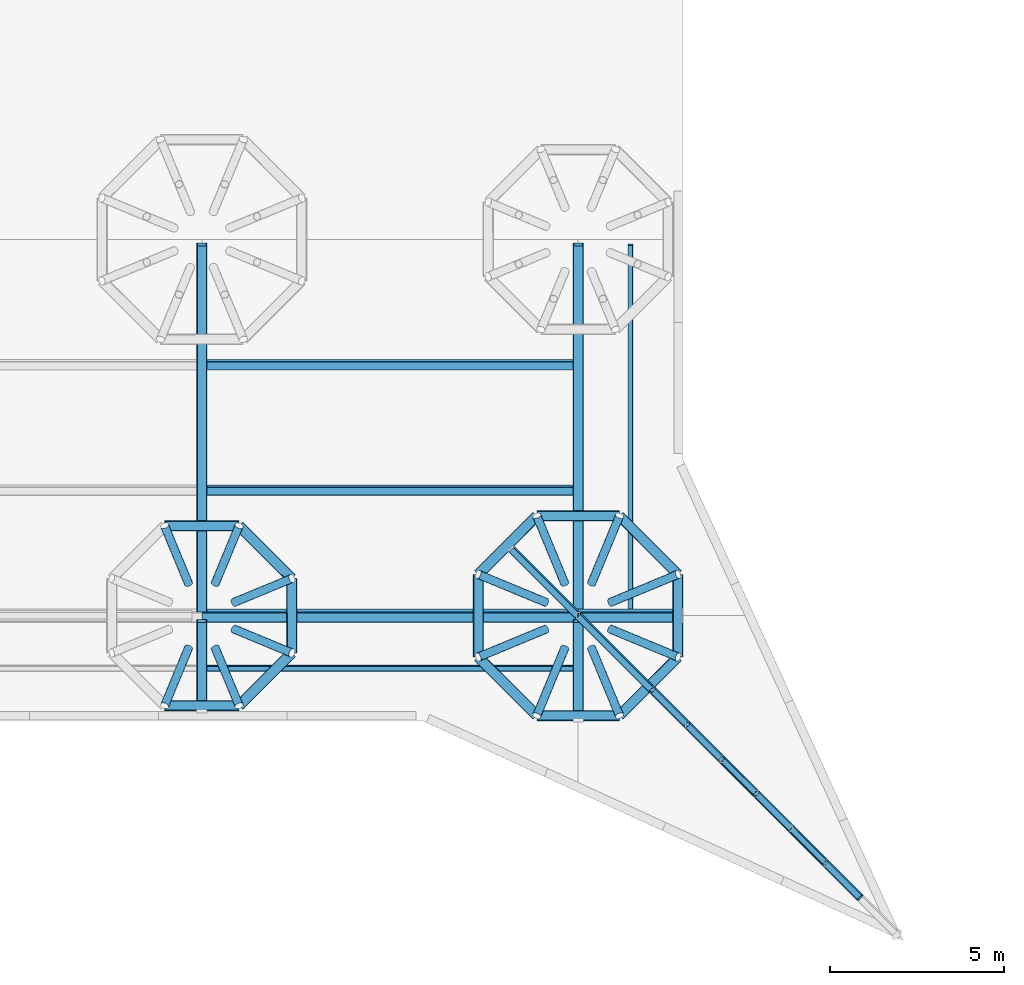
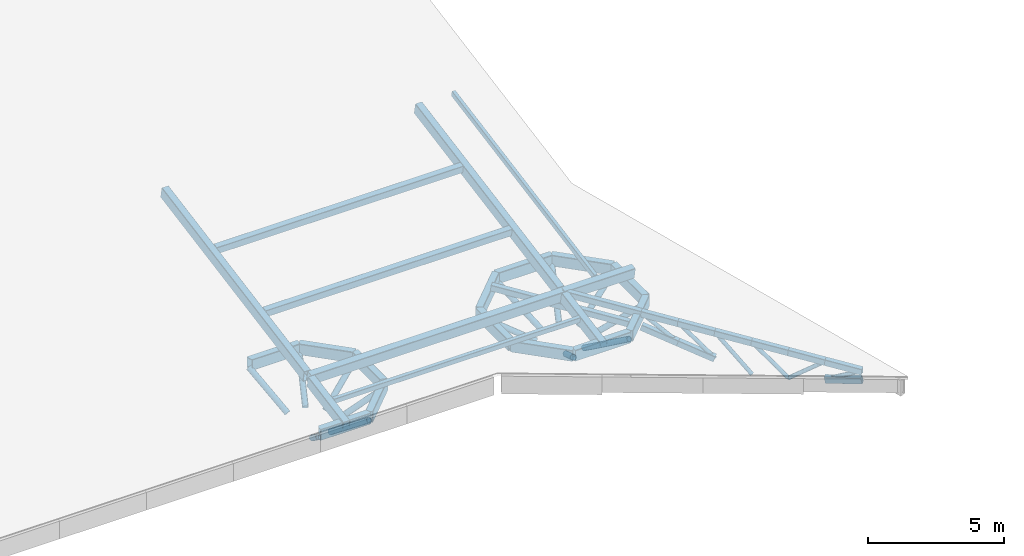
# One storey, part 16 of 56: 31 members, 23 beams.
"""IFC4 building model written with IfcOpenShell, lengths in metres."""

from ifc_helpers import new_model, si_unit, direction, frame, origin, origin_2d, place, context, subcontext, project, spatial, hollow_rectangle, hollow_circle, extrude, clip, halfspace, material, material_profile, profile_set, type_object, element, save


model = new_model("IFC4")

# Units and contexts
model_context = context("Model", 3, precision=1e-05, world=origin(), true_north=direction((0.0, 1.0)))
body_context = subcontext(model_context, "Body", "Model", "MODEL_VIEW")
ifc_project = project(units=[si_unit("LENGTHUNIT", "METRE"), si_unit("AREAUNIT", "SQUARE_METRE"), si_unit("VOLUMEUNIT", "CUBIC_METRE"), si_unit("PLANEANGLEUNIT", "RADIAN"), si_unit("MASSUNIT", "GRAM", prefix="KILO")], contexts=[model_context])

# Site, building, storey
site_placement = place(None, origin())
site = spatial("IfcSite", under=ifc_project, at=site_placement, CompositionType="ELEMENT")
building_placement = place(site_placement, origin())
building = spatial("IfcBuilding", under=site, at=building_placement, Name="Magnolia Steps Interchange", CompositionType="ELEMENT")
storey_placement = place(building_placement, frame((0.0, 0.0, 8.699951171875)))
storey = spatial("IfcBuildingStorey", under=building, at=storey_placement, Name="L02", CompositionType="ELEMENT", Elevation=8.699951171875)

# Beams
ifc_material_1 = material(Name="Steel Q355B", Category="steel")
ifc_material_profile_1 = material_profile(ifc_material_1, hollow_rectangle(XDim=0.300048828125, YDim=0.5, WallThickness=0.01611328125, InnerFilletRadius=0.01611328125, OuterFilletRadius=0.031982421875, at=origin_2d()), Name="RHS500x300x16")
ifc_profile_set_1 = profile_set([ifc_material_profile_1], Name="Steel Q355B")
beam_type_1 = type_object("IfcBeamType", Name="Ring beam RHS500x300x16", PredefinedType="BEAM", material=ifc_profile_set_1)
beam_1_placement = place(storey_placement, frame((109.780029296875, 43.46875, 1.44873046875), z_axis=(-0.707106781187, 0.707106781187, 0.0), x_axis=(-0.707106781187, -0.707106781187, 0.0)))
element("IfcBeam", 1, at=beam_1_placement, inside=storey, type_object=beam_type_1, Name="Ring beam TH06A", PredefinedType="BEAM", context=body_context, shape_type="Clipping", body=[
    clip(clip(extrude(hollow_rectangle(XDim=0.300048828125, YDim=0.5, WallThickness=0.01611328125, InnerFilletRadius=0.01611328125, OuterFilletRadius=0.031982421875, at=origin_2d()), origin(), (0.0, 0.0, 1.0), 2.13720703125), halfspace(frame((0.0, 0.0, 0.0), z_axis=(0.382683433, 0.0, -0.923879532), x_axis=(0.923879532, 0.0, 0.382683433)), False)), halfspace(frame((0.0, 0.0, 2.137202625), z_axis=(0.382683433, 0.0, 0.923879532), x_axis=(0.923879532, 0.0, -0.382683433)), False)),
])
for number, where, z_axis, x_axis, name in (
    (2, (108.268798828125, 44.97998046875, 1.44873046875), (-1.0, 0.0, 0.0), (0.0, -1.0, 0.0), "Ring beam TH06A"),
    (3, (106.13134765625, 39.820068359375, 1.44873046875), (1.0, 0.0, 0.0), (0.0, 1.0, 0.0), "Ring beam TH06A"),
):
    element("IfcBeam", number, at=place(storey_placement, frame(where, z_axis=z_axis, x_axis=x_axis)), inside=storey, type_object=beam_type_1, Name=name, PredefinedType="BEAM", context=body_context, shape_type="Clipping", body=[
        clip(clip(extrude(hollow_rectangle(XDim=0.300048828125, YDim=0.5, WallThickness=0.01611328125, InnerFilletRadius=0.01611328125, OuterFilletRadius=0.031982421875, at=origin_2d()), origin(), (0.0, 0.0, 1.0), 2.137451171875), halfspace(frame((0.0, 0.0, 0.0), z_axis=(0.382683432, 0.0, -0.923879533), x_axis=(0.923879533, 0.0, 0.382683432)), False)), halfspace(frame((0.0, 0.0, 2.137451172), z_axis=(0.382683432, 0.0, 0.923879533), x_axis=(0.923879533, 0.0, -0.382683432)), False)),
    ])
beam_2_placement = place(storey_placement, frame((108.268798828125, 39.820068359375, 1.44873046875), z_axis=(0.707106781187, 0.707106781187, 0.0), x_axis=(-0.707106781187, 0.707106781187, 0.0)))
element("IfcBeam", 4, at=beam_2_placement, inside=storey, type_object=beam_type_1, Name="Ring beam TH06A", PredefinedType="BEAM", context=body_context, shape_type="Clipping", body=[
    clip(clip(extrude(hollow_rectangle(XDim=0.300048828125, YDim=0.5, WallThickness=0.01611328125, InnerFilletRadius=0.01611328125, OuterFilletRadius=0.031982421875, at=origin_2d()), origin(), (0.0, 0.0, 1.0), 2.13720703125), halfspace(frame((0.0, 0.0, 0.0), z_axis=(0.382683433, 0.0, -0.923879532), x_axis=(0.923879532, 0.0, 0.382683433)), False)), halfspace(frame((0.0, 0.0, 2.137202625), z_axis=(0.382683433, 0.0, 0.923879532), x_axis=(0.923879532, 0.0, -0.382683433)), False)),
])
beam_3_placement = place(storey_placement, frame((109.780029296875, 41.331298828125, 1.44873046875), z_axis=(0.0, 1.0, 0.0), x_axis=(-1.0, 0.0, 0.0)))
element("IfcBeam", 5, at=beam_3_placement, inside=storey, type_object=beam_type_1, Name="Ring beam TH06A", PredefinedType="BEAM", context=body_context, shape_type="Clipping", body=[
    clip(clip(extrude(hollow_rectangle(XDim=0.300048828125, YDim=0.5, WallThickness=0.01611328125, InnerFilletRadius=0.01611328125, OuterFilletRadius=0.031982421875, at=origin_2d()), origin(), (0.0, 0.0, 1.0), 2.137451171875), halfspace(frame((0.0, 0.0, 0.0), z_axis=(0.382683432, 0.0, -0.923879533), x_axis=(0.923879533, 0.0, 0.382683432)), False)), halfspace(frame((0.0, 0.0, 2.137451172), z_axis=(0.382683432, 0.0, 0.923879533), x_axis=(0.923879533, 0.0, -0.382683432)), False)),
])
beam_4_placement = place(storey_placement, frame((120.864013671875, 43.586181640625, 1.44873046875), z_axis=(-0.707106781187, 0.707106781187, 0.0), x_axis=(-0.707106781187, -0.707106781187, 0.0)))
element("IfcBeam", 6, at=beam_4_placement, inside=storey, type_object=beam_type_1, Name="Ring beam TH07A", PredefinedType="BEAM", context=body_context, shape_type="Clipping", body=[
    clip(clip(extrude(hollow_rectangle(XDim=0.300048828125, YDim=0.5, WallThickness=0.01611328125, InnerFilletRadius=0.01611328125, OuterFilletRadius=0.031982421875, at=origin_2d()), origin(), (0.0, 0.0, 1.0), 2.37255859375), halfspace(frame((0.0, 0.0, 0.0), z_axis=(0.382683433, 0.0, -0.923879532), x_axis=(0.923879532, 0.0, 0.382683433)), False)), halfspace(frame((0.0, 0.0, 2.372674707), z_axis=(0.382683433, 0.0, 0.923879532), x_axis=(0.923879532, 0.0, -0.382683433)), False)),
])
beam_5_placement = place(storey_placement, frame((119.186279296875, 45.263916015625, 1.44873046875), z_axis=(-1.0, 0.0, 0.0), x_axis=(0.0, -1.0, 0.0)))
element("IfcBeam", 7, at=beam_5_placement, inside=storey, type_object=beam_type_1, Name="Ring beam TH07A", PredefinedType="BEAM", context=body_context, shape_type="Clipping", body=[
    clip(clip(extrude(hollow_rectangle(XDim=0.300048828125, YDim=0.5, WallThickness=0.01611328125, InnerFilletRadius=0.01611328125, OuterFilletRadius=0.031982421875, at=origin_2d()), origin(), (0.0, 0.0, 1.0), 2.37255859375), halfspace(frame((0.0, 0.0, 0.0), z_axis=(0.382683432, 0.0, -0.923879533), x_axis=(0.923879533, 0.0, 0.382683432)), False)), halfspace(frame((0.0, 0.0, 2.372558594), z_axis=(0.382683432, 0.0, 0.923879533), x_axis=(0.923879533, 0.0, -0.382683432)), False)),
])
beam_6_placement = place(storey_placement, frame((116.813720703125, 45.263916015625, 1.44873046875), z_axis=(-0.707106781187, -0.707106781187, 0.0), x_axis=(0.707106781187, -0.707106781187, 0.0)))
element("IfcBeam", 8, at=beam_6_placement, inside=storey, type_object=beam_type_1, Name="Ring beam TH07A", PredefinedType="BEAM", context=body_context, shape_type="Clipping", body=[
    clip(clip(extrude(hollow_rectangle(XDim=0.300048828125, YDim=0.5, WallThickness=0.01611328125, InnerFilletRadius=0.01611328125, OuterFilletRadius=0.031982421875, at=origin_2d()), origin(), (0.0, 0.0, 1.0), 2.37255859375), halfspace(frame((0.0, 0.0, 0.0), z_axis=(0.382683433, 0.0, -0.923879532), x_axis=(0.923879532, 0.0, 0.382683433)), False)), halfspace(frame((0.0, 0.0, 2.372674707), z_axis=(0.382683433, 0.0, 0.923879532), x_axis=(0.923879532, 0.0, -0.382683433)), False)),
])
beam_7_placement = place(storey_placement, frame((115.135986328125, 43.586181640625, 1.44873046875), z_axis=(0.0, -1.0, 0.0), x_axis=(1.0, 0.0, 0.0)))
element("IfcBeam", 9, at=beam_7_placement, inside=storey, type_object=beam_type_1, Name="Ring beam TH07A", PredefinedType="BEAM", context=body_context, shape_type="Clipping", body=[
    clip(clip(extrude(hollow_rectangle(XDim=0.300048828125, YDim=0.5, WallThickness=0.01611328125, InnerFilletRadius=0.01611328125, OuterFilletRadius=0.031982421875, at=origin_2d()), origin(), (0.0, 0.0, 1.0), 2.37255859375), halfspace(frame((0.0, 0.0, 0.0), z_axis=(0.382683432, 0.0, -0.923879533), x_axis=(0.923879533, 0.0, 0.382683432)), False)), halfspace(frame((0.0, 0.0, 2.372558594), z_axis=(0.382683432, 0.0, 0.923879533), x_axis=(0.923879533, 0.0, -0.382683432)), False)),
])
beam_8_placement = place(storey_placement, frame((115.135986328125, 41.213623046875, 1.44873046875), z_axis=(0.707106781187, -0.707106781187, 0.0), x_axis=(0.707106781187, 0.707106781187, 0.0)))
element("IfcBeam", 10, at=beam_8_placement, inside=storey, type_object=beam_type_1, Name="Ring beam TH07A", PredefinedType="BEAM", context=body_context, shape_type="Clipping", body=[
    clip(clip(extrude(hollow_rectangle(XDim=0.300048828125, YDim=0.5, WallThickness=0.01611328125, InnerFilletRadius=0.01611328125, OuterFilletRadius=0.031982421875, at=origin_2d()), origin(), (0.0, 0.0, 1.0), 2.37255859375), halfspace(frame((0.0, 0.0, 0.0), z_axis=(0.382683433, 0.0, -0.923879532), x_axis=(0.923879532, 0.0, 0.382683433)), False)), halfspace(frame((0.0, 0.0, 2.372674707), z_axis=(0.382683433, 0.0, 0.923879532), x_axis=(0.923879532, 0.0, -0.382683433)), False)),
])
beam_9_placement = place(storey_placement, frame((116.813720703125, 39.535888671875, 1.44873046875), z_axis=(1.0, 0.0, 0.0), x_axis=(0.0, 1.0, 0.0)))
element("IfcBeam", 11, at=beam_9_placement, inside=storey, type_object=beam_type_1, Name="Ring beam TH07A", PredefinedType="BEAM", context=body_context, shape_type="Clipping", body=[
    clip(clip(extrude(hollow_rectangle(XDim=0.300048828125, YDim=0.5, WallThickness=0.01611328125, InnerFilletRadius=0.01611328125, OuterFilletRadius=0.031982421875, at=origin_2d()), origin(), (0.0, 0.0, 1.0), 2.37255859375), halfspace(frame((0.0, 0.0, 0.0), z_axis=(0.382683432, 0.0, -0.923879533), x_axis=(0.923879533, 0.0, 0.382683432)), False)), halfspace(frame((0.0, 0.0, 2.372558594), z_axis=(0.382683432, 0.0, 0.923879533), x_axis=(0.923879533, 0.0, -0.382683432)), False)),
])
beam_10_placement = place(storey_placement, frame((119.186279296875, 39.535888671875, 1.44873046875), z_axis=(0.707106781187, 0.707106781187, 0.0), x_axis=(-0.707106781187, 0.707106781187, 0.0)))
element("IfcBeam", 12, at=beam_10_placement, inside=storey, type_object=beam_type_1, Name="Ring beam TH07A", PredefinedType="BEAM", context=body_context, shape_type="Clipping", body=[
    clip(clip(extrude(hollow_rectangle(XDim=0.300048828125, YDim=0.5, WallThickness=0.01611328125, InnerFilletRadius=0.01611328125, OuterFilletRadius=0.031982421875, at=origin_2d()), origin(), (0.0, 0.0, 1.0), 2.37255859375), halfspace(frame((0.0, 0.0, 0.0), z_axis=(0.382683433, 0.0, -0.923879532), x_axis=(0.923879532, 0.0, 0.382683433)), False)), halfspace(frame((0.0, 0.0, 2.372674707), z_axis=(0.382683433, 0.0, 0.923879532), x_axis=(0.923879532, 0.0, -0.382683433)), False)),
])
beam_11_placement = place(storey_placement, frame((120.864013671875, 41.213623046875, 1.44873046875), z_axis=(0.0, 1.0, 0.0), x_axis=(-1.0, 0.0, 0.0)))
element("IfcBeam", 13, at=beam_11_placement, inside=storey, type_object=beam_type_1, Name="Ring beam TH07A", PredefinedType="BEAM", context=body_context, shape_type="Clipping", body=[
    clip(clip(extrude(hollow_rectangle(XDim=0.300048828125, YDim=0.5, WallThickness=0.01611328125, InnerFilletRadius=0.01611328125, OuterFilletRadius=0.031982421875, at=origin_2d()), origin(), (0.0, 0.0, 1.0), 2.37255859375), halfspace(frame((0.0, 0.0, 0.0), z_axis=(0.382683432, 0.0, -0.923879533), x_axis=(0.923879533, 0.0, 0.382683432)), False)), halfspace(frame((0.0, 0.0, 2.372558594), z_axis=(0.382683432, 0.0, 0.923879533), x_axis=(0.923879533, 0.0, -0.382683432)), False)),
])
ifc_material_2 = material(Name="Steel Q355B", Category="steel")
ifc_material_profile_2 = material_profile(ifc_material_2, hollow_rectangle(XDim=0.300048828125, YDim=0.5, WallThickness=0.01611328125, InnerFilletRadius=0.01611328125, OuterFilletRadius=0.031982421875, at=origin_2d()), Name="RHS500x300x16")
ifc_profile_set_2 = profile_set([ifc_material_profile_2], Name="Steel Q355B")
beam_type_2 = type_object("IfcBeamType", Name="Roof beam RHS500x300x16", PredefinedType="BEAM", material=ifc_profile_set_2)
beam_12_placement = place(storey_placement, frame((107.199951171875, 42.39990234375, 1.9931640625), z_axis=(1.0, 0.0, 0.0), x_axis=(0.0, 0.98367737698, 0.17994115154)))
element("IfcBeam", 14, at=beam_12_placement, inside=storey, type_object=beam_type_2, Name="Roof beam", PredefinedType="BEAM", context=body_context, shape_type="SweptSolid", body=[
    extrude(hollow_rectangle(XDim=0.300048828125, YDim=0.5, WallThickness=0.01611328125, InnerFilletRadius=0.01611328125, OuterFilletRadius=0.031982421875, at=origin_2d()), origin(), (0.0, 0.0, 1.0), 10.800048828125),
])
beam_13_placement = place(storey_placement, frame((118.0, 42.39990234375, 1.9931640625), z_axis=(1.0, 0.0, 0.0), x_axis=(0.0, 0.98367737698, 0.17994115154)))
element("IfcBeam", 15, at=beam_13_placement, inside=storey, type_object=beam_type_2, Name="Roof beam", PredefinedType="BEAM", context=body_context, shape_type="SweptSolid", body=[
    extrude(hollow_rectangle(XDim=0.300048828125, YDim=0.5, WallThickness=0.01611328125, InnerFilletRadius=0.01611328125, OuterFilletRadius=0.031982421875, at=origin_2d()), origin(), (0.0, 0.0, 1.0), 3.0),
])
beam_14_placement = place(storey_placement, frame((107.199951171875, 42.550048828125, 2.0205078125), z_axis=(0.0, 0.983678690331, 0.179933971746), x_axis=(-1.0, 0.0, 0.0)))
element("IfcBeam", 16, at=beam_14_placement, inside=storey, type_object=beam_type_2, Name="Roof beam", PredefinedType="BEAM", context=body_context, shape_type="SweptSolid", body=[
    extrude(hollow_rectangle(XDim=0.300048828125, YDim=0.5, WallThickness=0.01611328125, InnerFilletRadius=0.01611328125, OuterFilletRadius=0.031982421875, at=origin_2d()), origin(), (0.0, 0.0, 1.0), 10.67431640625),
])
beam_15_placement = place(storey_placement, frame((107.199951171875, 42.25, 1.965576171875), z_axis=(0.0, -0.983688413027, -0.179880810752), x_axis=(1.0, 0.0, 0.0)))
element("IfcBeam", 17, at=beam_15_placement, inside=storey, type_object=beam_type_2, Name="Roof beam", PredefinedType="BEAM", context=body_context, shape_type="SweptSolid", body=[
    extrude(hollow_rectangle(XDim=0.300048828125, YDim=0.5, WallThickness=0.01611328125, InnerFilletRadius=0.01611328125, OuterFilletRadius=0.031982421875, at=origin_2d()), origin(), (0.0, 0.0, 1.0), 2.633056640625),
])
beam_16_placement = place(storey_placement, frame((118.0, 42.550048828125, 2.0205078125), z_axis=(0.0, 0.983678690331, 0.179933971746), x_axis=(-1.0, 0.0, 0.0)))
element("IfcBeam", 18, at=beam_16_placement, inside=storey, type_object=beam_type_2, Name="Roof beam", PredefinedType="BEAM", context=body_context, shape_type="SweptSolid", body=[
    extrude(hollow_rectangle(XDim=0.300048828125, YDim=0.5, WallThickness=0.01611328125, InnerFilletRadius=0.01611328125, OuterFilletRadius=0.031982421875, at=origin_2d()), origin(), (0.0, 0.0, 1.0), 10.67431640625),
])
beam_17_placement = place(storey_placement, frame((118.0, 42.25, 1.965576171875), z_axis=(0.0, -0.983684681442, -0.17990121594), x_axis=(1.0, 0.0, 0.0)))
element("IfcBeam", 19, at=beam_17_placement, inside=storey, type_object=beam_type_2, Name="Roof beam", PredefinedType="BEAM", context=body_context, shape_type="SweptSolid", body=[
    extrude(hollow_rectangle(XDim=0.300048828125, YDim=0.5, WallThickness=0.01611328125, InnerFilletRadius=0.01611328125, OuterFilletRadius=0.031982421875, at=origin_2d()), origin(), (0.0, 0.0, 1.0), 2.8974609375),
])
ifc_material_3 = material(Name="Steel Q355B", Category="steel")
ifc_material_profile_3 = material_profile(ifc_material_3, hollow_rectangle(XDim=0.14990234375, YDim=0.25, WallThickness=0.008056640625, InnerFilletRadius=0.008056640625, OuterFilletRadius=0.01611328125, at=origin_2d()), Name="RHS250x150x8")
ifc_profile_set_3 = profile_set([ifc_material_profile_3], Name="Steel Q355B")
beam_type_3 = type_object("IfcBeamType", Name="Roof edge joist RHS250x150x8", PredefinedType="BEAM", material=ifc_profile_set_3)
beam_18_placement = place(storey_placement, frame((107.35009765625, 40.89990234375, 1.845703125), z_axis=(1.0, 0.0, 0.0), x_axis=(0.0, 0.98367737698, 0.17994115154)))
element("IfcBeam", 20, at=beam_18_placement, inside=storey, type_object=beam_type_3, Name="Roof edge joist", PredefinedType="BEAM", context=body_context, shape_type="SweptSolid", body=[
    extrude(hollow_rectangle(XDim=0.14990234375, YDim=0.25, WallThickness=0.008056640625, InnerFilletRadius=0.008056640625, OuterFilletRadius=0.01611328125, at=origin_2d()), origin(), (0.0, 0.0, 1.0), 10.5),
])
beam_19_placement = place(storey_placement, frame((119.5, 42.550048828125, 2.1474609375), z_axis=(0.0, 0.98367464182, 0.179956103093), x_axis=(-1.0, 0.0, 0.0)))
element("IfcBeam", 21, at=beam_19_placement, inside=storey, type_object=beam_type_3, Name="Roof edge joist", PredefinedType="BEAM", context=body_context, shape_type="SweptSolid", body=[
    extrude(hollow_rectangle(XDim=0.14990234375, YDim=0.25, WallThickness=0.008056640625, InnerFilletRadius=0.008056640625, OuterFilletRadius=0.01611328125, at=origin_2d()), origin(), (0.0, 0.0, 1.0), 10.67431640625),
])
ifc_material_4 = material(Name="Steel Q355B", Category="steel")
ifc_material_profile_4 = material_profile(ifc_material_4, hollow_rectangle(XDim=0.25, YDim=0.35009765625, WallThickness=0.011962890625, InnerFilletRadius=0.011962890625, OuterFilletRadius=0.02392578125, at=origin_2d()), Name="RHS350x250x12")
ifc_profile_set_4 = profile_set([ifc_material_profile_4], Name="Steel Q355B")
beam_type_4 = type_object("IfcBeamType", Name="Roof joist RHS350x250x12", PredefinedType="BEAM", material=ifc_profile_set_4)
for number, where, z_axis, x_axis, name in (
    (22, (107.35009765625, 46.0, 2.727783203125), (1.0, 0.0, 0.0), (0.0, 0.98367737698, 0.17994115154), "Roof joist"),
    (23, (107.35009765625, 49.60009765625, 3.38623046875), (1.0, 0.0, 0.0), (0.0, 0.98367737698, 0.17994115154), "Roof joist"),
):
    element("IfcBeam", number, at=place(storey_placement, frame(where, z_axis=z_axis, x_axis=x_axis)), inside=storey, type_object=beam_type_4, Name=name, PredefinedType="BEAM", context=body_context, shape_type="SweptSolid", body=[
        extrude(hollow_rectangle(XDim=0.25, YDim=0.35009765625, WallThickness=0.011962890625, InnerFilletRadius=0.011962890625, OuterFilletRadius=0.02392578125, at=origin_2d()), origin(), (0.0, 0.0, 1.0), 10.5),
    ])

# Members
ifc_material_5 = material(Name="Steel Q355B", Category="steel")
ifc_material_profile_5 = material_profile(ifc_material_5, hollow_rectangle(XDim=0.199951171875, YDim=0.300048828125, WallThickness=0.011962890625, InnerFilletRadius=0.011962890625, OuterFilletRadius=0.02392578125, at=origin_2d()), Name="RHS300x200x12")
ifc_profile_set_5 = profile_set([ifc_material_profile_5], Name="Steel Q355B")
member_type_1 = type_object("IfcMemberType", Name="Roof truss RHS300x200x12", PredefinedType="USERDEFINED", material=ifc_profile_set_5)
member_1_placement = place(storey_placement, frame((118.0, 42.39990234375, 2.0947265625), z_axis=(0.701262972674, -0.701262972674, -0.12829842678), x_axis=(0.712902688306, 0.689816521651, 0.126186066834)))
element("IfcMember", 24, at=member_1_placement, inside=storey, type_object=member_type_1, Name="Spike truss SP-H-SE top chord", ObjectType="Roof truss", PredefinedType="USERDEFINED", context=body_context, shape_type="SweptSolid", body=[
    extrude(hollow_rectangle(XDim=0.199951171875, YDim=0.300048828125, WallThickness=0.011962890625, InnerFilletRadius=0.011962890625, OuterFilletRadius=0.02392578125, at=origin_2d()), origin(), (0.0, 0.0, 1.0), 3.0390625),
])
for number, where, z_axis, x_axis, name in (
    (25, (120.131103515625, 40.268798828125, 1.704833984375), (0.70125708406, -0.70125708406, -0.1283627832), (0.71290847849, 0.689810731467, 0.12618500723), "Spike truss SP-H-SE top chord"),
    (26, (121.124755859375, 39.275146484375, 1.52294921875), (0.701272583716, -0.701272583716, -0.128193317515), (0.712893231565, 0.689825978392, 0.126187796256), "Spike truss SP-H-SE top chord"),
):
    element("IfcMember", number, at=place(storey_placement, frame(where, z_axis=z_axis, x_axis=x_axis)), inside=storey, type_object=member_type_1, Name=name, ObjectType="Roof truss", PredefinedType="USERDEFINED", context=body_context, shape_type="SweptSolid", body=[
        extrude(hollow_rectangle(XDim=0.199951171875, YDim=0.300048828125, WallThickness=0.011962890625, InnerFilletRadius=0.011962890625, OuterFilletRadius=0.02392578125, at=origin_2d()), origin(), (0.0, 0.0, 1.0), 1.4169921875),
    ])
member_2_placement = place(storey_placement, frame((122.118408203125, 38.281494140625, 1.34130859375), z_axis=(0.701357324315, -0.701185000648, -0.12820880818), x_axis=(0.712809864442, 0.689912169433, 0.12618754147)))
element("IfcMember", 27, at=member_2_placement, inside=storey, type_object=member_type_1, Name="Spike truss SP-H-SE top chord", ObjectType="Roof truss", PredefinedType="USERDEFINED", context=body_context, shape_type="SweptSolid", body=[
    extrude(hollow_rectangle(XDim=0.199951171875, YDim=0.300048828125, WallThickness=0.011962890625, InnerFilletRadius=0.011962890625, OuterFilletRadius=0.02392578125, at=origin_2d()), origin(), (0.0, 0.0, 1.0), 1.416748046875),
])
member_3_placement = place(storey_placement, frame((123.112060546875, 37.2880859375, 1.15966796875), z_axis=(0.70125708406, -0.70125708406, -0.1283627832), x_axis=(0.71290847849, 0.689810731467, 0.12618500723)))
element("IfcMember", 28, at=member_3_placement, inside=storey, type_object=member_type_1, Name="Spike truss SP-H-SE top chord", ObjectType="Roof truss", PredefinedType="USERDEFINED", context=body_context, shape_type="SweptSolid", body=[
    extrude(hollow_rectangle(XDim=0.199951171875, YDim=0.300048828125, WallThickness=0.011962890625, InnerFilletRadius=0.011962890625, OuterFilletRadius=0.02392578125, at=origin_2d()), origin(), (0.0, 0.0, 1.0), 1.4169921875),
])
for number, where, z_axis, x_axis, name in (
    (29, (124.105712890625, 36.29443359375, 0.977783203125), (0.701185000648, -0.701357324315, -0.12820880818), (0.712979375335, 0.689736989529, 0.12618754147), "Spike truss SP-H-SE top chord"),
    (30, (125.09912109375, 35.30078125, 0.796142578125), (0.70134181904, -0.701169499182, -0.128378293657), (0.712825115021, 0.689896922601, 0.126184751775), "Spike truss SP-H-SE top chord"),
):
    element("IfcMember", number, at=place(storey_placement, frame(where, z_axis=z_axis, x_axis=x_axis)), inside=storey, type_object=member_type_1, Name=name, ObjectType="Roof truss", PredefinedType="USERDEFINED", context=body_context, shape_type="SweptSolid", body=[
        extrude(hollow_rectangle(XDim=0.199951171875, YDim=0.300048828125, WallThickness=0.011962890625, InnerFilletRadius=0.011962890625, OuterFilletRadius=0.02392578125, at=origin_2d()), origin(), (0.0, 0.0, 1.0), 1.416748046875),
    ])
member_4_placement = place(storey_placement, frame((116.080810546875, 44.319091796875, 1.845703125), z_axis=(0.701286484817, -0.701241879392, -0.128285201013), x_axis=(0.712879559342, 0.689840384053, 0.126186284524)))
element("IfcMember", 31, at=member_4_placement, inside=storey, type_object=member_type_1, Name="Spike truss SP-H-SE bottom chord", ObjectType="Roof truss", PredefinedType="USERDEFINED", context=body_context, shape_type="SweptSolid", body=[
    extrude(hollow_rectangle(XDim=0.199951171875, YDim=0.300048828125, WallThickness=0.011962890625, InnerFilletRadius=0.011962890625, OuterFilletRadius=0.02392578125, at=origin_2d()), origin(), (0.0, 0.0, 1.0), 5.473388671875),
])
for number, where, z_axis, x_axis, name in (
    (32, (120.131103515625, 40.268798828125, 1.104736328125), (0.671642538358, -0.671642538358, -0.312718086041), (0.729790668451, 0.672510902042, 0.123023033924), "Spike truss SP-H-SE bottom chord"),
    (33, (121.124755859375, 39.275146484375, 0.64208984375), (0.671607871384, -0.671607871384, -0.312866959249), (0.729804302812, 0.672497267681, 0.123016684064), "Spike truss SP-H-SE bottom chord"),
):
    element("IfcMember", number, at=place(storey_placement, frame(where, z_axis=z_axis, x_axis=x_axis)), inside=storey, type_object=member_type_1, Name=name, ObjectType="Roof truss", PredefinedType="USERDEFINED", context=body_context, shape_type="SweptSolid", body=[
        extrude(hollow_rectangle(XDim=0.199951171875, YDim=0.300048828125, WallThickness=0.011962890625, InnerFilletRadius=0.011962890625, OuterFilletRadius=0.02392578125, at=origin_2d()), origin(), (0.0, 0.0, 1.0), 1.4794921875),
    ])
member_5_placement = place(storey_placement, frame((125.09912109375, 35.30078125, 0.006103515625), z_axis=(0.699195168285, -0.69902337586, 0.149974786711), x_axis=(0.686777699345, 0.715005408562, 0.130780952011)))
element("IfcMember", 34, at=member_5_placement, inside=storey, type_object=member_type_1, Name="Spike truss SP-H-SE bottom chord", ObjectType="Roof truss", PredefinedType="USERDEFINED", context=body_context, shape_type="SweptSolid", body=[
    extrude(hollow_rectangle(XDim=0.199951171875, YDim=0.300048828125, WallThickness=0.011962890625, InnerFilletRadius=0.011962890625, OuterFilletRadius=0.02392578125, at=origin_2d()), origin(), (0.0, 0.0, 1.0), 1.421142578125),
])
ifc_material_6 = material(Name="Steel Q355B", Category="steel")
ifc_material_profile_6 = material_profile(ifc_material_6, hollow_circle(Radius=0.083984375, WallThickness=0.008056640625, at=origin_2d()), Name="CHS168x8")
ifc_profile_set_6 = profile_set([ifc_material_profile_6], Name="Steel Q355B")
member_type_2 = type_object("IfcMemberType", Name="Roof truss diagonal CHS168x8", PredefinedType="USERDEFINED", material=ifc_profile_set_6)
member_6_placement = place(storey_placement, frame((120.131103515625, 40.268798828125, 1.704833984375), z_axis=(0.563982405053, -0.563982405053, -0.603197889238), x_axis=(0.761848210331, 0.6371818668, 0.116561456047)))
element("IfcMember", 35, at=member_6_placement, inside=storey, type_object=member_type_2, Name="Spike truss SP-H-SE diagonal", ObjectType="Roof truss diagonal", PredefinedType="USERDEFINED", context=body_context, shape_type="SweptSolid", body=[
    extrude(hollow_circle(Radius=0.083984375, WallThickness=0.008056640625, at=origin_2d()), origin(), (0.0, 0.0, 1.0), 1.761962890625),
])
member_7_placement = place(storey_placement, frame((121.124755859375, 39.275146484375, 1.52294921875), z_axis=(0.511055686416, -0.511055686416, -0.691118058485), x_axis=(0.775173170125, 0.621436064165, 0.113682780025)))
element("IfcMember", 36, at=member_7_placement, inside=storey, type_object=member_type_2, Name="Spike truss SP-H-SE diagonal", ObjectType="Roof truss diagonal", PredefinedType="USERDEFINED", context=body_context, shape_type="SweptSolid", body=[
    extrude(hollow_circle(Radius=0.083984375, WallThickness=0.008056640625, at=origin_2d()), origin(), (0.0, 0.0, 1.0), 1.9443359375),
])
member_8_placement = place(storey_placement, frame((122.118408203125, 38.281494140625, 1.34130859375), z_axis=(0.462587561824, -0.462473903946, -0.756393175415), x_axis=(0.787468769474, 0.606297196091, 0.110890248064)))
element("IfcMember", 37, at=member_8_placement, inside=storey, type_object=member_type_2, Name="Spike truss SP-H-SE diagonal", ObjectType="Roof truss diagonal", PredefinedType="USERDEFINED", context=body_context, shape_type="SweptSolid", body=[
    extrude(hollow_circle(Radius=0.083984375, WallThickness=0.008056640625, at=origin_2d()), origin(), (0.0, 0.0, 1.0), 2.14794921875),
])
member_9_placement = place(storey_placement, frame((123.112060546875, 37.2880859375, 1.15966796875), z_axis=(0.506902365757, -0.506902365757, -0.697208708479), x_axis=(0.77621785359, 0.620173007569, 0.113451683334)))
element("IfcMember", 38, at=member_9_placement, inside=storey, type_object=member_type_2, Name="Spike truss SP-H-SE diagonal", ObjectType="Roof truss diagonal", PredefinedType="USERDEFINED", context=body_context, shape_type="SweptSolid", body=[
    extrude(hollow_circle(Radius=0.083984375, WallThickness=0.008056640625, at=origin_2d()), origin(), (0.0, 0.0, 1.0), 1.960205078125),
])
member_10_placement = place(storey_placement, frame((124.105712890625, 36.29443359375, -0.20703125), z_axis=(0.575411610102, -0.575553023621, 0.581068150874), x_axis=(0.625734446631, 0.76730121354, 0.140375389576)))
element("IfcMember", 39, at=member_10_placement, inside=storey, type_object=member_type_2, Name="Spike truss SP-H-SE diagonal", ObjectType="Roof truss diagonal", PredefinedType="USERDEFINED", context=body_context, shape_type="SweptSolid", body=[
    extrude(hollow_circle(Radius=0.083984375, WallThickness=0.008056640625, at=origin_2d()), origin(), (0.0, 0.0, 1.0), 1.726318359375),
])
member_11_placement = place(storey_placement, frame((125.09912109375, 35.30078125, 0.006103515625), z_axis=(0.649008559711, -0.648849098149, 0.397218752393), x_axis=(0.657786288033, 0.74091246343, 0.135520923887)))
element("IfcMember", 40, at=member_11_placement, inside=storey, type_object=member_type_2, Name="Spike truss SP-H-SE diagonal", ObjectType="Roof truss diagonal", PredefinedType="USERDEFINED", context=body_context, shape_type="SweptSolid", body=[
    extrude(hollow_circle(Radius=0.083984375, WallThickness=0.008056640625, at=origin_2d()), origin(), (0.0, 0.0, 1.0), 1.531005859375),
])
ifc_material_7 = material(Name="Steel Q355B", Category="steel")
ifc_material_profile_7 = material_profile(ifc_material_7, hollow_circle(Radius=0.12255859375, WallThickness=0.011962890625, at=origin_2d()), Name="CHS245x12")
ifc_profile_set_7 = profile_set([ifc_material_profile_7], Name="Steel Q355B")
member_type_3 = type_object("IfcMemberType", Name="Tree rib CHS245x12", PredefinedType="USERDEFINED", material=ifc_profile_set_7)
for number, where, z_axis, x_axis, name in (
    (41, (108.12158203125, 42.78173828125, 0.00048828125), (0.748590194604, 0.310103460565, 0.586044848359), (-0.382712136791, 0.923867642226, 0.0), "Tree rib TH06A"),
    (42, (107.581787109375, 43.321533203125, 0.00048828125), (0.310103460565, 0.748590194604, 0.586044848359), (-0.923867642226, 0.382712136791, 0.0), "Tree rib TH06A"),
    (43, (106.818359375, 43.321533203125, 0.00048828125), (-0.310103460565, 0.748590194604, 0.586044848359), (-0.923867642226, -0.382712136791, 0.0), "Tree rib TH06A"),
    (44, (106.818359375, 41.478515625, 0.00048828125), (-0.310103460565, -0.748590194604, 0.586044848359), (0.923867642226, -0.382712136791, 0.0), "Tree rib TH06A"),
    (45, (107.581787109375, 41.478515625, 0.00048828125), (0.310103460565, -0.748590194604, 0.586044848359), (0.923867642226, 0.382712136791, 0.0), "Tree rib TH06A"),
    (46, (108.12158203125, 42.018310546875, 0.00048828125), (0.748590194604, -0.310103460565, 0.586044848359), (0.382712136791, 0.923867642226, 0.0), "Tree rib TH06A"),
):
    element("IfcMember", number, at=place(storey_placement, frame(where, z_axis=z_axis, x_axis=x_axis)), inside=storey, type_object=member_type_3, Name=name, ObjectType="TREE RIB", PredefinedType="USERDEFINED", context=body_context, shape_type="SweptSolid", body=[
        extrude(hollow_circle(Radius=0.12255859375, WallThickness=0.011962890625, at=origin_2d()), origin(), (0.0, 0.0, 1.0), 2.21533203125),
    ])
for number, where, z_axis, x_axis, name in (
    (47, (118.921630859375, 42.78173828125, 0.00048828125), (0.786082790589, 0.325558420687, 0.5254384465), (-0.382635546835, 0.923899365893, 0.0), "Tree rib TH07A"),
    (48, (118.381591796875, 43.321533203125, 0.00048828125), (0.325646748153, 0.786057502519, 0.525421543288), (-0.923858309875, 0.382734664322, 0.0), "Tree rib TH07A"),
    (49, (117.618408203125, 43.321533203125, 0.00048828125), (-0.325646748153, 0.786057502519, 0.525421543288), (-0.923858309875, -0.382734664322, 0.0), "Tree rib TH07A"),
    (50, (117.078369140625, 42.78173828125, 0.00048828125), (-0.786082790589, 0.325558420687, 0.5254384465), (-0.382635546835, -0.923899365893, 0.0), "Tree rib TH07A"),
    (51, (117.078369140625, 42.018310546875, 0.00048828125), (-0.786057502519, -0.325646748153, 0.525421543288), (0.382734664322, -0.923858309875, 0.0), "Tree rib TH07A"),
):
    element("IfcMember", number, at=place(storey_placement, frame(where, z_axis=z_axis, x_axis=x_axis)), inside=storey, type_object=member_type_3, Name=name, ObjectType="TREE RIB", PredefinedType="USERDEFINED", context=body_context, shape_type="SweptSolid", body=[
        extrude(hollow_circle(Radius=0.12255859375, WallThickness=0.011962890625, at=origin_2d()), origin(), (0.0, 0.0, 1.0), 2.470947265625),
    ])
for number, where, z_axis, x_axis, name in (
    (52, (117.618408203125, 41.478515625, 0.00048828125), (-0.325621458824, -0.786095251171, 0.525380739692), (0.923875317212, -0.382693608839, 0.0), "Tree rib TH07A"),
    (53, (118.381591796875, 41.478515625, 0.00048828125), (0.325621458824, -0.786095251171, 0.525380739692), (0.923875317212, 0.382693608839, 0.0), "Tree rib TH07A"),
):
    element("IfcMember", number, at=place(storey_placement, frame(where, z_axis=z_axis, x_axis=x_axis)), inside=storey, type_object=member_type_3, Name=name, ObjectType="TREE RIB", PredefinedType="USERDEFINED", context=body_context, shape_type="SweptSolid", body=[
        extrude(hollow_circle(Radius=0.12255859375, WallThickness=0.011962890625, at=origin_2d()), origin(), (0.0, 0.0, 1.0), 2.47119140625),
    ])
member_12_placement = place(storey_placement, frame((118.921630859375, 42.018310546875, 0.00048828125), z_axis=(0.786057502519, -0.325646748153, 0.525421543288), x_axis=(0.382734664322, 0.923858309875, 0.0)))
element("IfcMember", 54, at=member_12_placement, inside=storey, type_object=member_type_3, Name="Tree rib TH07A", ObjectType="TREE RIB", PredefinedType="USERDEFINED", context=body_context, shape_type="SweptSolid", body=[
    extrude(hollow_circle(Radius=0.12255859375, WallThickness=0.011962890625, at=origin_2d()), origin(), (0.0, 0.0, 1.0), 2.470947265625),
])

save(model, "model.ifc")
